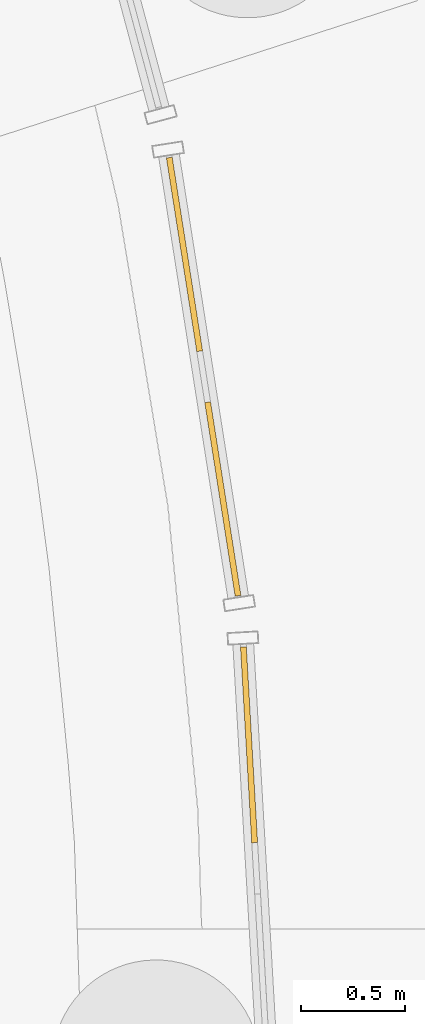
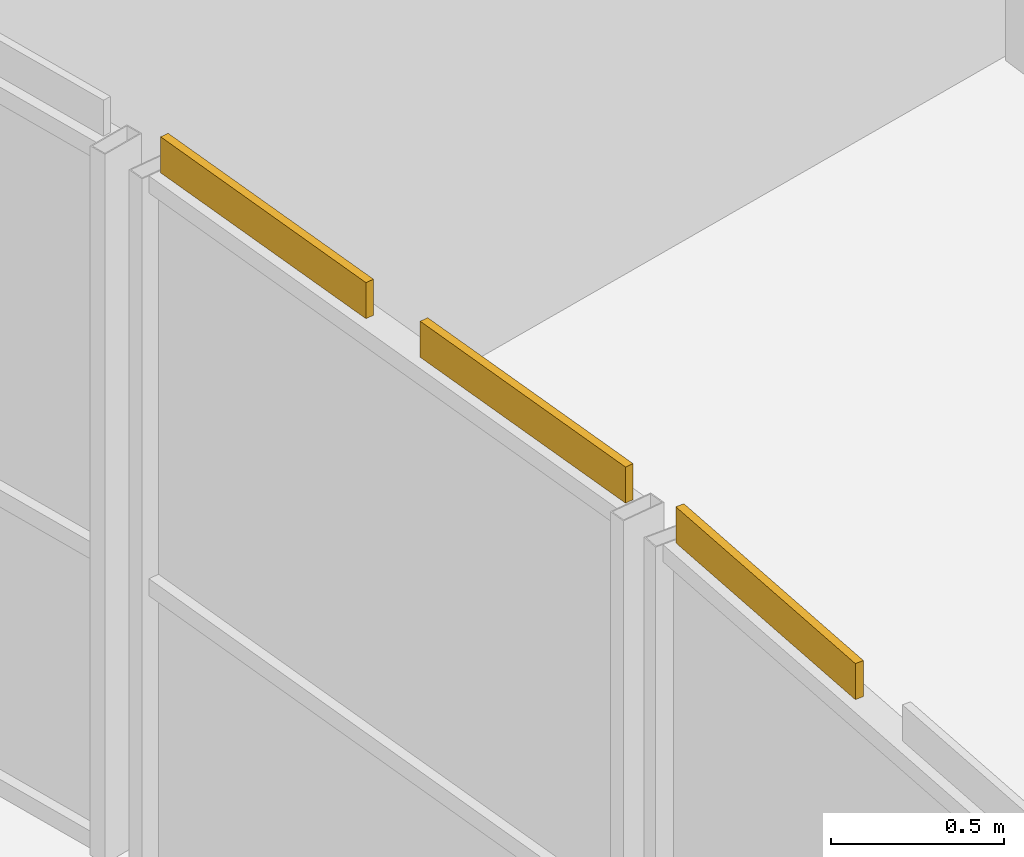
# One storey, part 127 of 130: 3 coverings.
"""IFC4 building model written with IfcOpenShell, lengths in metres."""

from ifc_helpers import new_model, si_unit, direction, frame, origin, origin_2d, place, context, subcontext, project, spatial, rectangle, extrude, material, layer, layer_set, type_object, element, save


model = new_model("IFC4")

# Units and contexts
model_context = context("Model", 3, precision=1e-05, world=origin(), true_north=direction((0.0, 1.0)))
body_context = subcontext(model_context, "Body", "Model", "MODEL_VIEW")
ifc_project = project(units=[si_unit("LENGTHUNIT", "METRE"), si_unit("AREAUNIT", "SQUARE_METRE"), si_unit("VOLUMEUNIT", "CUBIC_METRE"), si_unit("PLANEANGLEUNIT", "RADIAN"), si_unit("MASSUNIT", "GRAM", prefix="KILO")], contexts=[model_context])

# Site, building, storey
site_placement = place(None, origin())
site = spatial("IfcSite", under=ifc_project, at=site_placement, CompositionType="ELEMENT")
building_placement = place(site_placement, origin())
building = spatial("IfcBuilding", under=site, at=building_placement, Name="Parallax Yard Mobility Hub", CompositionType="ELEMENT")
storey_placement = place(building_placement, origin())
storey = spatial("IfcBuildingStorey", under=building, at=storey_placement, Name="L00", CompositionType="ELEMENT", Elevation=0.0)

# Coverings
ifc_material = material(Name="Insulated aluminium spandrel panel", Category="aluminium")
ifc_layer = layer(ifc_material, 0.028076171875)
ifc_layer_set = layer_set([ifc_layer], Name="Curtain wall spandrel closer, insulated aluminium 28")
covering_type = type_object("IfcCoveringType", Name="Curtain wall spandrel closer, insulated aluminium 28", PredefinedType="CLADDING", material=ifc_layer_set)
for number, where, z_axis, x_axis, name in (
    (1, (194.886962890625, 94.14990234375, 2.5), (0.0, 0.0, 1.0), (0.154946613064, -0.98792284471, 0.0), "Curtain wall CW37 level L00 bay 22.2 spandrel closer 1"),
    (2, (195.07177734375, 92.97119140625, 2.5), (0.0, 0.0, 1.0), (0.154946613064, -0.98792284471, 0.0), "Curtain wall CW37 level L00 bay 22.2 spandrel closer 2"),
):
    element("IfcCovering", number, at=place(storey_placement, frame(where, z_axis=z_axis, x_axis=x_axis)), inside=storey, type_object=covering_type, Name=name, ObjectType="SCREEN", PredefinedType="CLADDING", context=body_context, shape_type="SweptSolid", body=[
        extrude(rectangle(XDim=0.944091796875, YDim=0.028076171875, at=origin_2d()), origin(), (0.0, 0.0, 1.0), 0.126953125),
    ])
covering_placement = place(storey_placement, frame((195.197998046875, 91.78662109375, 2.5), z_axis=(0.0, 0.0, 1.0), x_axis=(0.057337508907, -0.99835485178, 0.0)))
element("IfcCovering", 3, at=covering_placement, inside=storey, type_object=covering_type, Name="Curtain wall CW38 level L00 bay 22.3 spandrel closer 1", ObjectType="SCREEN", PredefinedType="CLADDING", context=body_context, shape_type="SweptSolid", body=[
    extrude(rectangle(XDim=0.944580078125, YDim=0.028076171875, at=origin_2d()), origin(), (0.0, 0.0, 1.0), 0.126953125),
])

save(model, "model.ifc")
